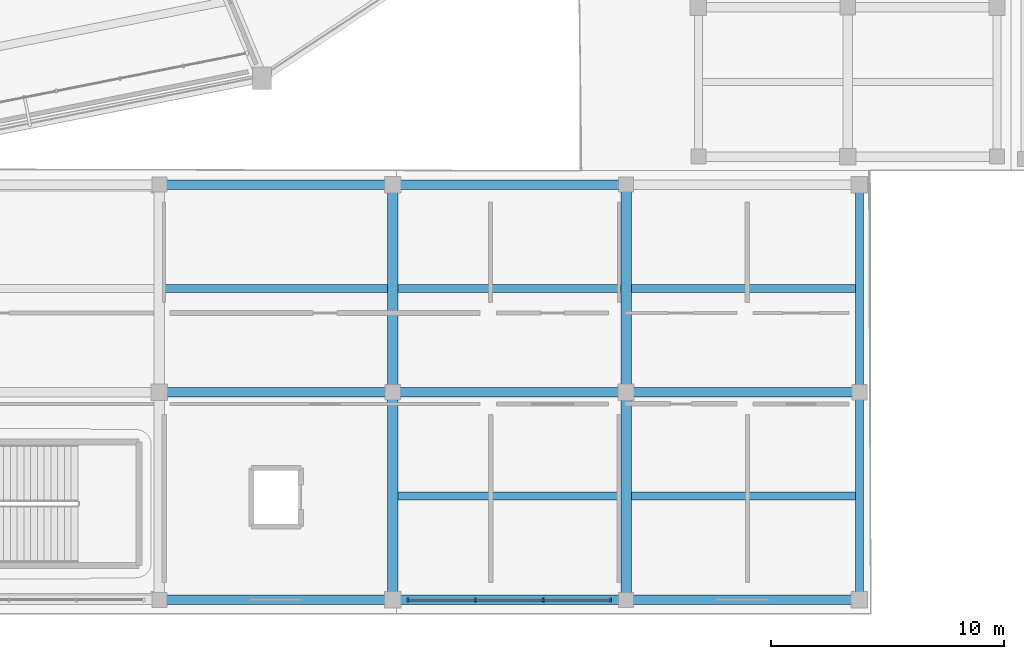
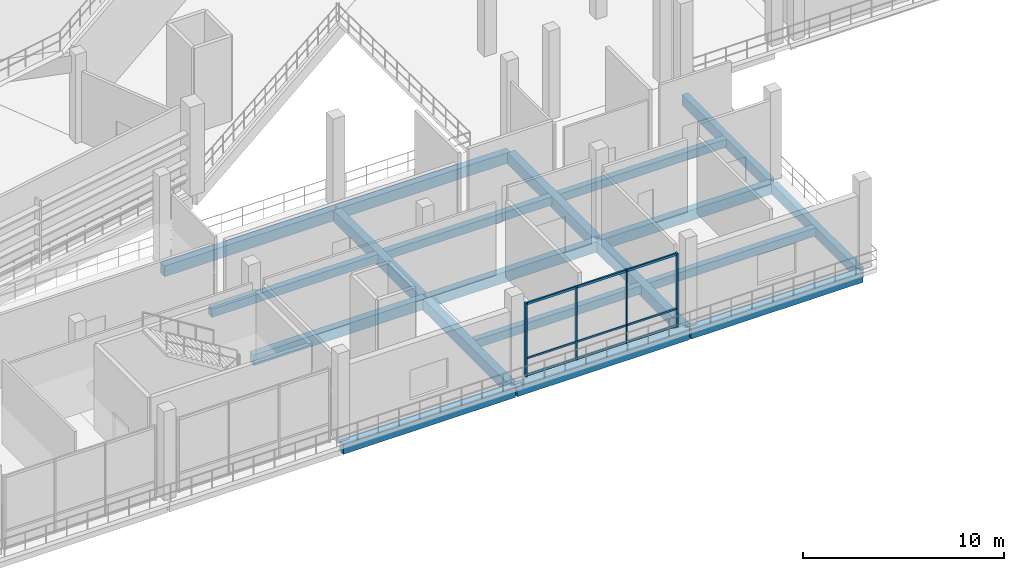
# One storey, part 35 of 127: 19 beams, 7 members, 1 element without a shape of its own.
"""IFC4 building model written with IfcOpenShell, lengths in metres."""

from ifc_helpers import new_model, si_unit, direction, frame, origin, origin_2d, place, context, subcontext, project, spatial, rectangle, extrude, material, material_profile, profile_set, type_object, element, aggregate, save


model = new_model("IFC4")

# Units and contexts
model_context = context("Model", 3, precision=1e-05, world=origin(), true_north=direction((0.0, 1.0)))
body_context = subcontext(model_context, "Body", "Model", "MODEL_VIEW")
ifc_project = project(units=[si_unit("LENGTHUNIT", "METRE"), si_unit("AREAUNIT", "SQUARE_METRE"), si_unit("VOLUMEUNIT", "CUBIC_METRE"), si_unit("PLANEANGLEUNIT", "RADIAN"), si_unit("MASSUNIT", "GRAM", prefix="KILO")], contexts=[model_context])

# Site, building, storey
site_placement = place(None, origin())
site = spatial("IfcSite", under=ifc_project, at=site_placement, CompositionType="ELEMENT")
building_placement = place(site_placement, origin())
building = spatial("IfcBuilding", under=site, at=building_placement, Name="Candeia Ridge Stadium", CompositionType="ELEMENT")
storey_placement = place(building_placement, frame((0.0, 0.0, 10.800048828125)))
storey = spatial("IfcBuildingStorey", under=building, at=storey_placement, Name="L02", CompositionType="ELEMENT", Elevation=10.800048828125)

# Curtain wall, members
ifc_material_1 = material(Name="Aluminium Anodized Warm Bronze", Category="aluminium")
curtain_wall_type = type_object("IfcCurtainWallType", Name="Museum & Boulevard Showcase Curtain Wall", PredefinedType="NOTDEFINED", material=ifc_material_1)
curtain_wall_placement = place(storey_placement, origin())
curtain_wall = element("IfcCurtainWall", 1, at=curtain_wall_placement, inside=storey, type_object=curtain_wall_type, Name="Unitised curtain wall CW-WNG-L02-126", PredefinedType="NOTDEFINED")
ifc_material_profile_1 = material_profile(ifc_material_1, rectangle(XDim=0.090087890625, YDim=0.179931640625, at=origin_2d()), Name="CWM-90x180", Category="aluminium")
ifc_profile_set_1 = profile_set([ifc_material_profile_1], Name="Aluminium Anodized Warm Bronze")
member_type_1 = type_object("IfcMemberType", Name="Curtain Wall Primary Mullion 90x180", PredefinedType="MULLION", material=ifc_profile_set_1)
member_1_placement = place(storey_placement, frame((167.159912109375, 0.60009765625, 0.0), z_axis=(0.0, 0.0, 1.0), x_axis=(1.0, 0.0, 0.0)))
member_1 = element("IfcMember", 2, at=member_1_placement, type_object=member_type_1, Name="Curtain wall mullion CW-WNG-L02-126-M0", PredefinedType="MULLION", context=body_context, shape_type="SweptSolid", body=[
    extrude(rectangle(XDim=0.090087890625, YDim=0.179931640625, at=origin_2d()), origin(), (0.0, 0.0, 1.0), 4.48486328125),
])
member_2_placement = place(storey_placement, frame((175.840087890625, 0.60009765625, 0.0), z_axis=(0.0, 0.0, 1.0), x_axis=(1.0, 0.0, 0.0)))
member_2 = element("IfcMember", 3, at=member_2_placement, type_object=member_type_1, Name="Curtain wall mullion CW-WNG-L02-126-M3", PredefinedType="MULLION", context=body_context, shape_type="SweptSolid", body=[
    extrude(rectangle(XDim=0.090087890625, YDim=0.179931640625, at=origin_2d()), origin(), (0.0, 0.0, 1.0), 4.48486328125),
])
ifc_material_profile_2 = material_profile(ifc_material_1, rectangle(XDim=0.074951171875, YDim=0.14990234375, at=origin_2d()), Name="CWM-75x150", Category="aluminium")
ifc_profile_set_2 = profile_set([ifc_material_profile_2], Name="Aluminium Anodized Warm Bronze")
member_type_2 = type_object("IfcMemberType", Name="Curtain Wall Secondary Mullion 75x150", PredefinedType="MULLION", material=ifc_profile_set_2)
member_3_placement = place(storey_placement, frame((170.05322265625, 0.60009765625, 0.0), z_axis=(0.0, 0.0, 1.0), x_axis=(1.0, 0.0, 0.0)))
member_3 = element("IfcMember", 4, at=member_3_placement, type_object=member_type_2, Name="Curtain wall mullion CW-WNG-L02-126-M1", PredefinedType="MULLION", context=body_context, shape_type="SweptSolid", body=[
    extrude(rectangle(XDim=0.074951171875, YDim=0.14990234375, at=origin_2d()), origin(), (0.0, 0.0, 1.0), 4.48486328125),
])
member_4_placement = place(storey_placement, frame((172.94677734375, 0.60009765625, 0.0), z_axis=(0.0, 0.0, 1.0), x_axis=(1.0, 0.0, 0.0)))
member_4 = element("IfcMember", 5, at=member_4_placement, type_object=member_type_2, Name="Curtain wall mullion CW-WNG-L02-126-M2", PredefinedType="MULLION", context=body_context, shape_type="SweptSolid", body=[
    extrude(rectangle(XDim=0.074951171875, YDim=0.14990234375, at=origin_2d()), origin(), (0.0, 0.0, 1.0), 4.48486328125),
])
ifc_material_profile_3 = material_profile(ifc_material_1, rectangle(XDim=0.074951171875, YDim=0.110107421875, at=origin_2d()), Name="CWT-75x110", Category="aluminium")
ifc_profile_set_3 = profile_set([ifc_material_profile_3], Name="Aluminium Anodized Warm Bronze")
member_type_3 = type_object("IfcMemberType", Name="Curtain Wall Secondary Transom 75x110", PredefinedType="USERDEFINED", material=ifc_profile_set_3)
member_5_placement = place(storey_placement, frame((167.159912109375, 0.60009765625, 1.099853515625), z_axis=(1.0, 0.0, 0.0), x_axis=(0.0, 1.0, 0.0)))
member_5 = element("IfcMember", 6, at=member_5_placement, type_object=member_type_3, Name="Curtain wall transom CW-WNG-L02-126-T1", ObjectType="TRANSOM", PredefinedType="USERDEFINED", context=body_context, shape_type="SweptSolid", body=[
    extrude(rectangle(XDim=0.074951171875, YDim=0.110107421875, at=origin_2d()), origin(), (0.0, 0.0, 1.0), 8.68017578125),
])
ifc_material_profile_4 = material_profile(ifc_material_1, rectangle(XDim=0.090087890625, YDim=0.139892578125, at=origin_2d()), Name="CWT-90x140", Category="aluminium")
ifc_profile_set_4 = profile_set([ifc_material_profile_4], Name="Aluminium Anodized Warm Bronze")
member_type_4 = type_object("IfcMemberType", Name="Curtain Wall Transom 90x140", PredefinedType="USERDEFINED", material=ifc_profile_set_4)
member_6_placement = place(storey_placement, frame((167.159912109375, 0.60009765625, 0.070068359375), z_axis=(1.0, 0.0, 0.0), x_axis=(0.0, 1.0, 0.0)))
member_6 = element("IfcMember", 7, at=member_6_placement, type_object=member_type_4, Name="Curtain wall transom CW-WNG-L02-126-T0", ObjectType="TRANSOM", PredefinedType="USERDEFINED", context=body_context, shape_type="SweptSolid", body=[
    extrude(rectangle(XDim=0.090087890625, YDim=0.139892578125, at=origin_2d()), origin(), (0.0, 0.0, 1.0), 8.68017578125),
])
member_7_placement = place(storey_placement, frame((167.159912109375, 0.60009765625, 4.4150390625), z_axis=(1.0, 0.0, 0.0), x_axis=(0.0, 1.0, 0.0)))
member_7 = element("IfcMember", 8, at=member_7_placement, type_object=member_type_4, Name="Curtain wall transom CW-WNG-L02-126-T2", ObjectType="TRANSOM", PredefinedType="USERDEFINED", context=body_context, shape_type="SweptSolid", body=[
    extrude(rectangle(XDim=0.090087890625, YDim=0.139892578125, at=origin_2d()), origin(), (0.0, 0.0, 1.0), 8.68017578125),
])
aggregate(curtain_wall, [member_1, member_3, member_4, member_2, member_6, member_5, member_7])

# Beams
ifc_material_2 = material(Name="Concrete C40/50", Category="concrete")
ifc_material_profile_5 = material_profile(ifc_material_2, rectangle(XDim=0.35009765625, YDim=0.5, at=origin_2d()), Name="RC350x500", Category="concrete")
ifc_profile_set_5 = profile_set([ifc_material_profile_5], Name="Concrete C40/50")
beam_type_1 = type_object("IfcBeamType", Name="Floor Joist RC350x500", PredefinedType="JOIST", material=ifc_profile_set_5)
for number, where, z_axis, x_axis, name in (
    (9, (156.724609375, 13.949951171875, -0.510009765625), (1.0, 0.0, 0.0), (0.0, 1.0, 0.0), "Wing secondary joist BM-L02-2176"),
    (10, (166.724609375, 5.050048828125, -0.510009765625), (1.0, 0.0, 0.0), (0.0, 1.0, 0.0), "Wing secondary joist BM-L02-2179"),
    (11, (166.724609375, 13.949951171875, -0.510009765625), (1.0, 0.0, 0.0), (0.0, 1.0, 0.0), "Wing secondary joist BM-L02-2181"),
):
    element("IfcBeam", number, at=place(storey_placement, frame(where, z_axis=z_axis, x_axis=x_axis)), inside=storey, type_object=beam_type_1, Name=name, PredefinedType="JOIST", context=body_context, shape_type="SweptSolid", body=[
        extrude(rectangle(XDim=0.35009765625, YDim=0.5, at=origin_2d()), origin(), (0.0, 0.0, 1.0), 9.55078125),
    ])
for number, where, z_axis, x_axis, name in (
    (12, (176.724609375, 5.050048828125, -0.510009765625), (1.0, 0.0, 0.0), (0.0, 1.0, 0.0), "Wing secondary joist BM-L02-2184"),
    (13, (176.724609375, 13.949951171875, -0.510009765625), (1.0, 0.0, 0.0), (0.0, 1.0, 0.0), "Wing secondary joist BM-L02-2186"),
):
    element("IfcBeam", number, at=place(storey_placement, frame(where, z_axis=z_axis, x_axis=x_axis)), inside=storey, type_object=beam_type_1, Name=name, PredefinedType="JOIST", context=body_context, shape_type="SweptSolid", body=[
        extrude(rectangle(XDim=0.35009765625, YDim=0.5, at=origin_2d()), origin(), (0.0, 0.0, 1.0), 9.600830078125),
    ])
ifc_material_profile_6 = material_profile(ifc_material_2, rectangle(XDim=0.449951171875, YDim=0.699951171875, at=origin_2d()), Name="RC450x700", Category="concrete")
ifc_profile_set_6 = profile_set([ifc_material_profile_6], Name="Concrete C40/50")
beam_type_2 = type_object("IfcBeamType", Name="Frame Girder RC450x700", PredefinedType="BEAM", material=ifc_profile_set_6)
for number, where, z_axis, x_axis, name in (
    (14, (166.5, 0.760009765625, -0.610107421875), (0.0, 1.0, 0.0), (-1.0, 0.0, 0.0), "Structural girder BM-L02-2155"),
    (15, (166.5, 9.659912109375, -0.610107421875), (0.0, 1.0, 0.0), (-1.0, 0.0, 0.0), "Structural girder BM-L02-2156"),
    (16, (176.5, 0.760009765625, -0.610107421875), (0.0, 1.0, 0.0), (-1.0, 0.0, 0.0), "Structural girder BM-L02-2157"),
    (17, (176.5, 9.659912109375, -0.610107421875), (0.0, 1.0, 0.0), (-1.0, 0.0, 0.0), "Structural girder BM-L02-2158"),
):
    element("IfcBeam", number, at=place(storey_placement, frame(where, z_axis=z_axis, x_axis=x_axis)), inside=storey, type_object=beam_type_2, Name=name, PredefinedType="BEAM", context=body_context, shape_type="SweptSolid", body=[
        extrude(rectangle(XDim=0.449951171875, YDim=0.699951171875, at=origin_2d()), origin(), (0.0, 0.0, 1.0), 8.580078125),
    ])
ifc_material_profile_7 = material_profile(ifc_material_2, rectangle(XDim=0.35009765625, YDim=0.64990234375, at=origin_2d()), Name="RC350x650", Category="concrete")
ifc_profile_set_7 = profile_set([ifc_material_profile_7], Name="Concrete C40/50")
beam_type_3 = type_object("IfcBeamType", Name="Spandrel Beam RC350x650", PredefinedType="SPANDREL", material=ifc_profile_set_7)
for number, where, z_axis, x_axis, name in (
    (18, (186.5, 0.760009765625, -0.5849609375), (0.0, 1.0, 0.0), (-1.0, 0.0, 0.0), "Structural girder BM-L02-2159"),
    (19, (186.5, 9.659912109375, -0.5849609375), (0.0, 1.0, 0.0), (-1.0, 0.0, 0.0), "Structural girder BM-L02-2160"),
):
    element("IfcBeam", number, at=place(storey_placement, frame(where, z_axis=z_axis, x_axis=x_axis)), inside=storey, type_object=beam_type_3, Name=name, PredefinedType="SPANDREL", context=body_context, shape_type="SweptSolid", body=[
        extrude(rectangle(XDim=0.35009765625, YDim=0.64990234375, at=origin_2d()), origin(), (0.0, 0.0, 1.0), 8.580078125),
    ])
ifc_material_profile_8 = material_profile(ifc_material_2, rectangle(XDim=0.39990234375, YDim=0.64990234375, at=origin_2d()), Name="RC400x650", Category="concrete")
ifc_profile_set_8 = profile_set([ifc_material_profile_8], Name="Concrete C40/50")
beam_type_4 = type_object("IfcBeamType", Name="Wing Primary Girder RC400x650", PredefinedType="BEAM", material=ifc_profile_set_8)
for number, where, z_axis, x_axis, name in (
    (20, (156.550048828125, 0.60009765625, -0.5849609375), (1.0, 0.0, 0.0), (0.0, 1.0, 0.0), "Structural girder BM-L02-2174"),
    (21, (156.550048828125, 9.5, -0.5849609375), (1.0, 0.0, 0.0), (0.0, 1.0, 0.0), "Structural girder BM-L02-2175"),
    (22, (156.550048828125, 18.39990234375, -0.5849609375), (1.0, 0.0, 0.0), (0.0, 1.0, 0.0), "Structural girder BM-L02-2177"),
    (23, (166.550048828125, 0.60009765625, -0.5849609375), (1.0, 0.0, 0.0), (0.0, 1.0, 0.0), "Structural girder BM-L02-2178"),
    (24, (166.550048828125, 9.5, -0.5849609375), (1.0, 0.0, 0.0), (0.0, 1.0, 0.0), "Structural girder BM-L02-2180"),
    (25, (166.550048828125, 18.39990234375, -0.5849609375), (1.0, 0.0, 0.0), (0.0, 1.0, 0.0), "Structural girder BM-L02-2182"),
    (26, (176.550048828125, 0.60009765625, -0.5849609375), (1.0, 0.0, 0.0), (0.0, 1.0, 0.0), "Structural girder BM-L02-2183"),
    (27, (176.550048828125, 9.5, -0.5849609375), (1.0, 0.0, 0.0), (0.0, 1.0, 0.0), "Structural girder BM-L02-2185"),
):
    element("IfcBeam", number, at=place(storey_placement, frame(where, z_axis=z_axis, x_axis=x_axis)), inside=storey, type_object=beam_type_4, Name=name, PredefinedType="BEAM", context=body_context, shape_type="SweptSolid", body=[
        extrude(rectangle(XDim=0.39990234375, YDim=0.64990234375, at=origin_2d()), origin(), (0.0, 0.0, 1.0), 9.89990234375),
    ])

save(model, "model.ifc")
